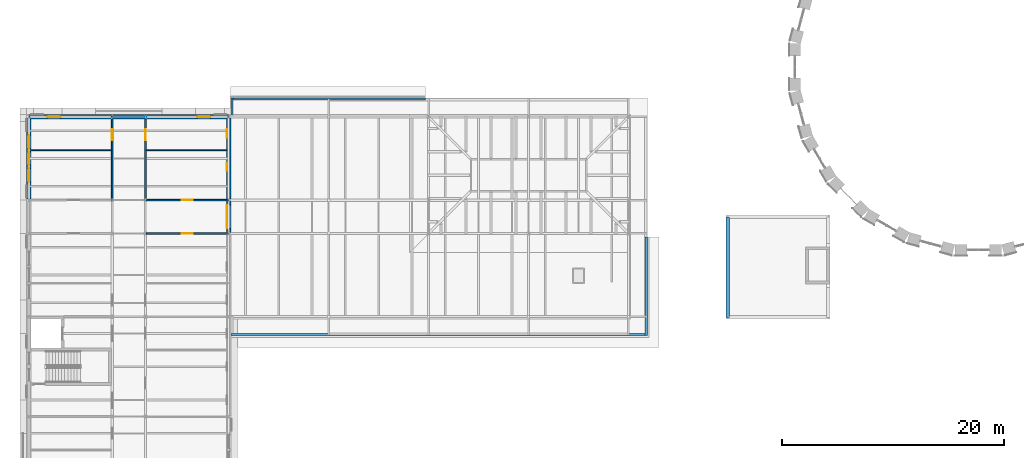
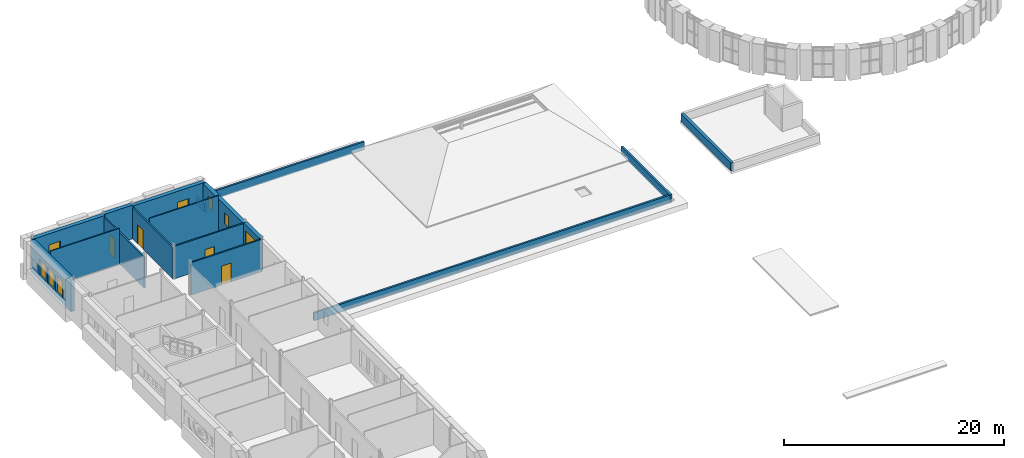
# One storey, part 29 of 42: 17 walls, 8 windows, 4 doors, 12 openings.
"""IFC4 building model written with IfcOpenShell, lengths in metres."""

from ifc_helpers import new_model, si_unit, direction, frame, frame_2d, origin, place, context, subcontext, project, spatial, rectangle, extrude, material, layer, layer_set, type_object, element, fill, save


model = new_model("IFC4")

# Units and contexts
model_context = context("Model", 3, precision=1e-05, world=origin(), true_north=direction((0.0, 1.0)))
body_context = subcontext(model_context, "Body", "Model", "MODEL_VIEW")
ifc_project = project(units=[si_unit("LENGTHUNIT", "METRE"), si_unit("AREAUNIT", "SQUARE_METRE"), si_unit("VOLUMEUNIT", "CUBIC_METRE"), si_unit("PLANEANGLEUNIT", "RADIAN"), si_unit("MASSUNIT", "GRAM", prefix="KILO")], contexts=[model_context])

# Site, building, storey
site_placement = place(None, origin())
site = spatial("IfcSite", under=ifc_project, at=site_placement, CompositionType="ELEMENT")
building_placement = place(site_placement, origin())
building = spatial("IfcBuilding", under=site, at=building_placement, Name="Golden Quay Civic Hall", CompositionType="ELEMENT")
storey_placement = place(building_placement, frame((0.0, 0.0, 22.800048828125)))
storey = spatial("IfcBuildingStorey", under=building, at=storey_placement, Name="L05", CompositionType="ELEMENT", Elevation=22.800048828125)

# Wall, opening, window
ifc_material_1 = material(Name="Brick, dark clay facing", Category="masonry")
ifc_layer_1 = layer(ifc_material_1, 0.39990234375)
ifc_layer_set_1 = layer_set([ifc_layer_1], Name="Brick external wall 400")
wall_type_1 = type_object("IfcWallType", Name="Brick external wall 400", PredefinedType="STANDARD", material=ifc_layer_set_1)
wall_1_placement = place(storey_placement, frame((18.0, 73.405029296875, 0.0), z_axis=(0.0, 0.0, 1.0), x_axis=(0.0, -1.0, 0.0)))
wall_1 = element("IfcWall", 1, at=wall_1_placement, inside=storey, type_object=wall_type_1, Name="Brick external wall 400 L05 3", PredefinedType="STANDARD", context=body_context, shape_type="SweptSolid", body=[
    extrude(rectangle(XDim=2.81005859375, YDim=0.39990234375, at=frame_2d((1.405029296875, 0.0))), origin(), (0.0, 0.0, 1.0), 3.679931640625),
])
opening_1_placement = place(wall_1_placement, frame((0.35498046875, 0.0, 0.89990234375)))
opening_1 = element("IfcOpeningElement", 2, at=opening_1_placement, cuts=wall_1, Name="Opening WN2", PredefinedType="OPENING", context=body_context, shape_type="SweptSolid", body=[
    extrude(rectangle(XDim=2.10009765625, YDim=2.10009765625, at=frame_2d((1.050048828125, 1.050048828125))), frame((0.0, 0.2099609375, 0.0), z_axis=(0.0, -1.0, 0.0), x_axis=(1.0, 0.0, 0.0)), (0.0, 0.0, 1.0), 0.419921875),
])
ifc_material_2 = material(Name="Aluminium frame, double glazed", Category="aluminium")
window_type_1 = type_object("IfcWindowType", Name="Corridor end window 2100 x 2100", PartitioningType="SINGLE_PANEL", PredefinedType="WINDOW", material=ifc_material_2)
window_1_placement = place(opening_1_placement, origin())
window_1 = element("IfcWindow", 3, at=window_1_placement, inside=storey, type_object=window_type_1, Name="Corridor end window 2100 x 2100 L05 1", OverallHeight=2.10009765625, OverallWidth=2.10009765625, PartitioningType="SINGLE_PANEL", PredefinedType="WINDOW", context=body_context, shape_type="SweptSolid", body=[
    extrude(rectangle(XDim=2.10009765625, YDim=2.10009765625, at=frame_2d((1.050048828125, 1.050048828125))), frame((0.0, -0.119873046875, 0.0), z_axis=(0.0, -1.0, 0.0), x_axis=(1.0, 0.0, 0.0)), (0.0, 0.0, 1.0), 0.06005859375),
])
fill(opening_1, window_1)

# Wall, openings, windows
wall_2_placement = place(storey_placement, frame((18.0, 80.905029296875, 0.0), z_axis=(0.0, 0.0, 1.0), x_axis=(0.0, -1.0, 0.0)))
wall_2 = element("IfcWall", 4, at=wall_2_placement, inside=storey, type_object=wall_type_1, Name="Brick external wall 400 L05 4", PredefinedType="STANDARD", context=body_context, shape_type="SweptSolid", body=[
    extrude(rectangle(XDim=7.31005859375, YDim=0.39990234375, at=frame_2d((3.655029296875, 0.0))), origin(), (0.0, 0.0, 1.0), 3.550048828125),
])
opening_2_placement = place(wall_2_placement, frame((4.030029296875, 0.0, 1.5)))
opening_2 = element("IfcOpeningElement", 5, at=opening_2_placement, cuts=wall_2, Name="Opening WN11", PredefinedType="OPENING", context=body_context, shape_type="SweptSolid", body=[
    extrude(rectangle(XDim=0.75, YDim=1.199951171875, at=frame_2d((0.375, 0.60009765625))), frame((0.0, 0.2099609375, 0.0), z_axis=(0.0, -1.0, 0.0), x_axis=(1.0, 0.0, 0.0)), (0.0, 0.0, 1.0), 0.419921875),
])
opening_3_placement = place(wall_2_placement, frame((1.030029296875, 0.0, 1.5)))
opening_3 = element("IfcOpeningElement", 6, at=opening_3_placement, cuts=wall_2, Name="Opening WN11", PredefinedType="OPENING", context=body_context, shape_type="SweptSolid", body=[
    extrude(rectangle(XDim=0.75, YDim=1.199951171875, at=frame_2d((0.375, 0.60009765625))), frame((0.0, 0.2099609375, 0.0), z_axis=(0.0, -1.0, 0.0), x_axis=(1.0, 0.0, 0.0)), (0.0, 0.0, 1.0), 0.419921875),
])
ifc_material_3 = material(Name="Aluminium frame, double glazed", Category="aluminium")
window_type_2 = type_object("IfcWindowType", Name="Attic pair window 750 x 1200", PartitioningType="SINGLE_PANEL", PredefinedType="WINDOW", material=ifc_material_3)
window_2_placement = place(opening_2_placement, origin())
window_2 = element("IfcWindow", 7, at=window_2_placement, inside=storey, type_object=window_type_2, Name="Attic pair window 750 x 1200 L05 6", OverallHeight=1.199951171875, OverallWidth=0.75, PartitioningType="SINGLE_PANEL", PredefinedType="WINDOW", context=body_context, shape_type="SweptSolid", body=[
    extrude(rectangle(XDim=0.75, YDim=1.199951171875, at=frame_2d((0.375, 0.60009765625))), frame((0.0, -0.119873046875, 0.0), z_axis=(0.0, -1.0, 0.0), x_axis=(1.0, 0.0, 0.0)), (0.0, 0.0, 1.0), 0.06005859375),
])
fill(opening_2, window_2)
window_3_placement = place(opening_3_placement, origin())
window_3 = element("IfcWindow", 8, at=window_3_placement, inside=storey, type_object=window_type_2, Name="Attic pair window 750 x 1200 L05 7", OverallHeight=1.199951171875, OverallWidth=0.75, PartitioningType="SINGLE_PANEL", PredefinedType="WINDOW", context=body_context, shape_type="SweptSolid", body=[
    extrude(rectangle(XDim=0.75, YDim=1.199951171875, at=frame_2d((0.375, 0.60009765625))), frame((0.0, -0.119873046875, 0.0), z_axis=(0.0, -1.0, 0.0), x_axis=(1.0, 0.0, 0.0)), (0.0, 0.0, 1.0), 0.06005859375),
])
fill(opening_3, window_3)

# Walls
ifc_material_4 = material(Name="Brick, dark clay facing", Category="masonry")
ifc_layer_2 = layer(ifc_material_4, 0.199951171875)
ifc_layer_set_2 = layer_set([ifc_layer_2], Name="Parapet 200 x 900")
wall_type_2 = type_object("IfcWallType", Name="Parapet 200 x 900", PredefinedType="PARAPET", material=ifc_layer_set_2)
wall_3_placement = place(storey_placement, frame((18.300048828125, 81.199951171875, 0.0), z_axis=(0.0, 0.0, 1.0), x_axis=(0.0, 1.0, 0.0)))
element("IfcWall", 9, at=wall_3_placement, inside=storey, type_object=wall_type_2, Name="Parapet 200 x 900 L05 1", PredefinedType="PARAPET", context=body_context, shape_type="SweptSolid", body=[
    extrude(rectangle(XDim=1.5, YDim=0.199951171875, at=frame_2d((0.75, 0.0))), origin(), (0.0, 0.0, 1.0), 0.89990234375),
])
wall_4_placement = place(storey_placement, frame((18.39990234375, 82.60009765625, 0.0), z_axis=(0.0, 0.0, 1.0), x_axis=(1.0, 0.0, 0.0)))
element("IfcWall", 10, at=wall_4_placement, inside=storey, type_object=wall_type_2, Name="Parapet 200 x 900 L05 2", PredefinedType="PARAPET", context=body_context, shape_type="SweptSolid", body=[
    extrude(rectangle(XDim=17.300048828125, YDim=0.199951171875, at=frame_2d((8.64990234375, 0.0))), origin(), (0.0, 0.0, 1.0), 0.89990234375),
])
wall_5_placement = place(storey_placement, frame((55.60009765625, 70.199951171875, 0.0), z_axis=(0.0, 0.0, 1.0), x_axis=(0.0, -1.0, 0.0)))
element("IfcWall", 11, at=wall_5_placement, inside=storey, type_object=wall_type_2, Name="Parapet 200 x 900 L05 3", PredefinedType="PARAPET", context=body_context, shape_type="SweptSolid", body=[
    extrude(rectangle(XDim=8.89990234375, YDim=0.199951171875, at=frame_2d((4.449951171875, 0.0))), origin(), (0.0, 0.0, 1.0), 0.89990234375),
])
wall_6_placement = place(storey_placement, frame((55.5, 61.39990234375, 0.0), z_axis=(0.0, 0.0, 1.0), x_axis=(-1.0, 0.0, 0.0)))
element("IfcWall", 12, at=wall_6_placement, inside=storey, type_object=wall_type_2, Name="Parapet 200 x 900 L05 4", PredefinedType="PARAPET", context=body_context, shape_type="SweptSolid", body=[
    extrude(rectangle(XDim=37.300048828125, YDim=0.199951171875, at=frame_2d((18.64990234375, 0.0))), origin(), (0.0, 0.0, 1.0), 0.89990234375),
])
ifc_material_5 = material(Name="Plasterboard on steel studs", Category="steel")
ifc_layer_3 = layer(ifc_material_5, 0.10009765625)
ifc_layer_set_3 = layer_set([ifc_layer_3], Name="Partition 100 stud")
wall_type_3 = type_object("IfcWallType", Name="Partition 100 stud", PredefinedType="PARTITIONING", material=ifc_layer_set_3)
for number, where, z_axis, x_axis, name in (
    (13, (0.199951171875, 78.0, 0.0), (0.0, 0.0, 1.0), (1.0, 0.0, 0.0), "Partition L05-040"),
    (14, (10.574951171875, 78.0, 0.0), (0.0, 0.0, 1.0), (1.0, 0.0, 0.0), "Partition L05-041"),
):
    element("IfcWall", number, at=place(storey_placement, frame(where, z_axis=z_axis, x_axis=x_axis)), inside=storey, type_object=wall_type_3, Name=name, PredefinedType="PARTITIONING", context=body_context, shape_type="SweptSolid", body=[
        extrude(rectangle(XDim=7.22509765625, YDim=0.10009765625, at=frame_2d((3.612548828125, 0.0))), origin(), (0.0, 0.0, 1.0), 3.949951171875),
    ])

# Wall, opening, door
ifc_material_6 = material(Name="Plasterboard on steel studs", Category="steel")
ifc_layer_4 = layer(ifc_material_6, 0.14990234375)
ifc_layer_set_4 = layer_set([ifc_layer_4], Name="Partition 150 stud fire EI 60")
wall_type_4 = type_object("IfcWallType", Name="Partition 150 stud fire EI 60", PredefinedType="PARTITIONING", material=ifc_layer_set_4)
wall_7_placement = place(storey_placement, frame((7.5, 73.5, 0.0), z_axis=(0.0, 0.0, 1.0), x_axis=(0.0, 1.0, 0.0)))
wall_7 = element("IfcWall", 15, at=wall_7_placement, inside=storey, type_object=wall_type_4, Name="Partition L05-027", PredefinedType="PARTITIONING", context=body_context, shape_type="SweptSolid", body=[
    extrude(rectangle(XDim=7.300048828125, YDim=0.14990234375, at=frame_2d((3.64990234375, 0.0))), origin(), (0.0, 0.0, 1.0), 3.429931640625),
])
opening_4_placement = place(wall_7_placement, frame((5.39990234375, 0.0, 0.0)))
opening_4 = element("IfcOpeningElement", 16, at=opening_4_placement, cuts=wall_7, Name="Opening L05-D041", PredefinedType="OPENING", context=body_context, shape_type="SweptSolid", body=[
    extrude(rectangle(XDim=1.0, YDim=2.10009765625, at=frame_2d((0.5, 1.050048828125))), frame((0.0, 0.0849609375, 0.0), z_axis=(0.0, -1.0, 0.0), x_axis=(1.0, 0.0, 0.0)), (0.0, 0.0, 1.0), 0.169921875),
])
ifc_material_7 = material(Name="Steel", Category="steel")
door_type = type_object("IfcDoorType", Name="Steel fire door FD30S 1000 x 2100", OperationType="SINGLE_SWING_LEFT", PredefinedType="DOOR", material=ifc_material_7)
door_1_placement = place(opening_4_placement, origin())
door_1 = element("IfcDoor", 17, at=door_1_placement, inside=storey, type_object=door_type, Name="Door L05-D041", OperationType="SINGLE_SWING_LEFT", OverallHeight=2.10009765625, OverallWidth=1.0, PredefinedType="DOOR", context=body_context, shape_type="SweptSolid", body=[
    extrude(rectangle(XDim=1.0, YDim=2.10009765625, at=frame_2d((0.5, 1.050048828125))), frame((0.0, 0.02490234375, 0.0), z_axis=(0.0, -1.0, 0.0), x_axis=(1.0, 0.0, 0.0)), (0.0, 0.0, 1.0), 0.050048828125),
])
fill(opening_4, door_1)

wall_8_placement = place(storey_placement, frame((10.5, 73.5, 0.0), z_axis=(0.0, 0.0, 1.0), x_axis=(0.0, 1.0, 0.0)))
wall_8 = element("IfcWall", 18, at=wall_8_placement, inside=storey, type_object=wall_type_4, Name="Partition L05-029", PredefinedType="PARTITIONING", context=body_context, shape_type="SweptSolid", body=[
    extrude(rectangle(XDim=7.300048828125, YDim=0.14990234375, at=frame_2d((3.64990234375, 0.0))), origin(), (0.0, 0.0, 1.0), 3.429931640625),
])
opening_5_placement = place(wall_8_placement, frame((5.39990234375, 0.0, 0.0)))
opening_5 = element("IfcOpeningElement", 19, at=opening_5_placement, cuts=wall_8, Name="Opening L05-D043", PredefinedType="OPENING", context=body_context, shape_type="SweptSolid", body=[
    extrude(rectangle(XDim=1.0, YDim=2.10009765625, at=frame_2d((0.5, 1.050048828125))), frame((0.0, 0.0849609375, 0.0), z_axis=(0.0, -1.0, 0.0), x_axis=(1.0, 0.0, 0.0)), (0.0, 0.0, 1.0), 0.169921875),
])
door_2_placement = place(opening_5_placement, frame((1.0, 0.0, 0.0), z_axis=(0.0, 0.0, 1.0), x_axis=(-1.0, 0.0, 0.0)))
door_2 = element("IfcDoor", 20, at=door_2_placement, inside=storey, type_object=door_type, Name="Door L05-D043", OperationType="SINGLE_SWING_RIGHT", OverallHeight=2.10009765625, OverallWidth=1.0, PredefinedType="DOOR", context=body_context, shape_type="SweptSolid", body=[
    extrude(rectangle(XDim=1.0, YDim=2.10009765625, at=frame_2d((0.5, 1.050048828125))), frame((0.0, 0.025146484375, 0.0), z_axis=(0.0, -1.0, 0.0), x_axis=(1.0, 0.0, 0.0)), (0.0, 0.0, 1.0), 0.050048828125),
])
fill(opening_5, door_2)

wall_9_placement = place(storey_placement, frame((10.574951171875, 70.5, 0.0), z_axis=(0.0, 0.0, 1.0), x_axis=(1.0, 0.0, 0.0)))
wall_9 = element("IfcWall", 21, at=wall_9_placement, inside=storey, type_object=wall_type_4, Name="Partition L05-033", PredefinedType="PARTITIONING", context=body_context, shape_type="SweptSolid", body=[
    extrude(rectangle(XDim=7.425048828125, YDim=0.14990234375, at=frame_2d((3.71240234375, 0.0))), origin(), (0.0, 0.0, 1.0), 3.599853515625),
])
opening_6_placement = place(wall_9_placement, frame((3.175048828125, 0.0, 0.0)))
opening_6 = element("IfcOpeningElement", 22, at=opening_6_placement, cuts=wall_9, Name="Opening L05-D039", PredefinedType="OPENING", context=body_context, shape_type="SweptSolid", body=[
    extrude(rectangle(XDim=1.0, YDim=2.10009765625, at=frame_2d((0.5, 1.050048828125))), frame((0.0, 0.0849609375, 0.0), z_axis=(0.0, -1.0, 0.0), x_axis=(1.0, 0.0, 0.0)), (0.0, 0.0, 1.0), 0.169921875),
])
door_3_placement = place(opening_6_placement, frame((1.0, 0.0, 0.0), z_axis=(0.0, 0.0, 1.0), x_axis=(-1.0, 0.0, 0.0)))
door_3 = element("IfcDoor", 23, at=door_3_placement, inside=storey, type_object=door_type, Name="Door L05-D039", OperationType="SINGLE_SWING_RIGHT", OverallHeight=2.10009765625, OverallWidth=1.0, PredefinedType="DOOR", context=body_context, shape_type="SweptSolid", body=[
    extrude(rectangle(XDim=1.0, YDim=2.10009765625, at=frame_2d((0.5, 1.050048828125))), frame((0.0, 0.025146484375, 0.0), z_axis=(0.0, -1.0, 0.0), x_axis=(1.0, 0.0, 0.0)), (0.0, 0.0, 1.0), 0.050048828125),
])
fill(opening_6, door_3)

wall_10_placement = place(storey_placement, frame((10.574951171875, 73.5, 0.0), z_axis=(0.0, 0.0, 1.0), x_axis=(1.0, 0.0, 0.0)))
wall_10 = element("IfcWall", 24, at=wall_10_placement, inside=storey, type_object=wall_type_4, Name="Partition L05-034", PredefinedType="PARTITIONING", context=body_context, shape_type="SweptSolid", body=[
    extrude(rectangle(XDim=7.425048828125, YDim=0.14990234375, at=frame_2d((3.71240234375, 0.0))), origin(), (0.0, 0.0, 1.0), 3.599853515625),
])
opening_7_placement = place(wall_10_placement, frame((3.175048828125, 0.0, 0.0)))
opening_7 = element("IfcOpeningElement", 25, at=opening_7_placement, cuts=wall_10, Name="Opening L05-D042", PredefinedType="OPENING", context=body_context, shape_type="SweptSolid", body=[
    extrude(rectangle(XDim=1.0, YDim=2.10009765625, at=frame_2d((0.5, 1.050048828125))), frame((0.0, 0.0849609375, 0.0), z_axis=(0.0, -1.0, 0.0), x_axis=(1.0, 0.0, 0.0)), (0.0, 0.0, 1.0), 0.169921875),
])
door_4_placement = place(opening_7_placement, origin())
door_4 = element("IfcDoor", 26, at=door_4_placement, inside=storey, type_object=door_type, Name="Door L05-D042", OperationType="SINGLE_SWING_LEFT", OverallHeight=2.10009765625, OverallWidth=1.0, PredefinedType="DOOR", context=body_context, shape_type="SweptSolid", body=[
    extrude(rectangle(XDim=1.0, YDim=2.10009765625, at=frame_2d((0.5, 1.050048828125))), frame((0.0, 0.02490234375, 0.0), z_axis=(0.0, -1.0, 0.0), x_axis=(1.0, 0.0, 0.0)), (0.0, 0.0, 1.0), 0.050048828125),
])
fill(opening_7, door_4)

# Wall, openings, windows
ifc_material_8 = material(Name="Clay block, rendered, cream")
ifc_layer_5 = layer(ifc_material_8, 0.39990234375)
ifc_layer_set_5 = layer_set([ifc_layer_5], Name="Rendered block external wall 400")
wall_type_5 = type_object("IfcWallType", Name="Rendered block external wall 400", PredefinedType="STANDARD", material=ifc_layer_set_5)
wall_11_placement = place(storey_placement, frame((0.0, 73.594970703125, 0.0), z_axis=(0.0, 0.0, 1.0), x_axis=(0.0, 1.0, 0.0)))
wall_11 = element("IfcWall", 27, at=wall_11_placement, inside=storey, type_object=wall_type_5, Name="Rendered block external wall 400 L05 8", PredefinedType="STANDARD", context=body_context, shape_type="SweptSolid", body=[
    extrude(rectangle(XDim=7.31005859375, YDim=0.39990234375, at=frame_2d((3.655029296875, 0.0))), origin(), (0.0, 0.0, 1.0), 3.550048828125),
])
opening_8_placement = place(wall_11_placement, frame((1.554931640625, 0.0, 0.60009765625)))
opening_8 = element("IfcOpeningElement", 28, at=opening_8_placement, cuts=wall_11, Name="Opening WN10", PredefinedType="OPENING", context=body_context, shape_type="SweptSolid", body=[
    extrude(rectangle(XDim=1.199951171875, YDim=1.800048828125, at=frame_2d((0.60009765625, 0.89990234375))), frame((0.0, 0.2099609375, 0.0), z_axis=(0.0, -1.0, 0.0), x_axis=(1.0, 0.0, 0.0)), (0.0, 0.0, 1.0), 0.419921875),
])
opening_9_placement = place(wall_11_placement, frame((3.054931640625, 0.0, 0.60009765625)))
opening_9 = element("IfcOpeningElement", 29, at=opening_9_placement, cuts=wall_11, Name="Opening WN10", PredefinedType="OPENING", context=body_context, shape_type="SweptSolid", body=[
    extrude(rectangle(XDim=1.199951171875, YDim=1.800048828125, at=frame_2d((0.60009765625, 0.89990234375))), frame((0.0, 0.2099609375, 0.0), z_axis=(0.0, -1.0, 0.0), x_axis=(1.0, 0.0, 0.0)), (0.0, 0.0, 1.0), 0.419921875),
])
opening_10_placement = place(wall_11_placement, frame((4.554931640625, 0.0, 0.60009765625)))
opening_10 = element("IfcOpeningElement", 30, at=opening_10_placement, cuts=wall_11, Name="Opening WN10", PredefinedType="OPENING", context=body_context, shape_type="SweptSolid", body=[
    extrude(rectangle(XDim=1.199951171875, YDim=1.800048828125, at=frame_2d((0.60009765625, 0.89990234375))), frame((0.0, 0.2099609375, 0.0), z_axis=(0.0, -1.0, 0.0), x_axis=(1.0, 0.0, 0.0)), (0.0, 0.0, 1.0), 0.419921875),
])
ifc_material_9 = material(Name="Aluminium frame, double glazed", Category="aluminium")
window_type_3 = type_object("IfcWindowType", Name="Golden grid window 1200 x 1800", PartitioningType="SINGLE_PANEL", PredefinedType="WINDOW", material=ifc_material_9)
window_4_placement = place(opening_8_placement, origin())
window_4 = element("IfcWindow", 31, at=window_4_placement, inside=storey, type_object=window_type_3, Name="Golden grid window 1200 x 1800 L05 12", OverallHeight=1.800048828125, OverallWidth=1.199951171875, PartitioningType="SINGLE_PANEL", PredefinedType="WINDOW", context=body_context, shape_type="SweptSolid", body=[
    extrude(rectangle(XDim=1.199951171875, YDim=1.800048828125, at=frame_2d((0.60009765625, 0.89990234375))), frame((0.0, 0.030029296875, 0.0), z_axis=(0.0, -1.0, 0.0), x_axis=(1.0, 0.0, 0.0)), (0.0, 0.0, 1.0), 0.06005859375),
])
fill(opening_8, window_4)
window_5_placement = place(opening_9_placement, origin())
window_5 = element("IfcWindow", 32, at=window_5_placement, inside=storey, type_object=window_type_3, Name="Golden grid window 1200 x 1800 L05 13", OverallHeight=1.800048828125, OverallWidth=1.199951171875, PartitioningType="SINGLE_PANEL", PredefinedType="WINDOW", context=body_context, shape_type="SweptSolid", body=[
    extrude(rectangle(XDim=1.199951171875, YDim=1.800048828125, at=frame_2d((0.60009765625, 0.89990234375))), frame((0.0, 0.030029296875, 0.0), z_axis=(0.0, -1.0, 0.0), x_axis=(1.0, 0.0, 0.0)), (0.0, 0.0, 1.0), 0.06005859375),
])
fill(opening_9, window_5)
window_6_placement = place(opening_10_placement, origin())
window_6 = element("IfcWindow", 33, at=window_6_placement, inside=storey, type_object=window_type_3, Name="Golden grid window 1200 x 1800 L05 14", OverallHeight=1.800048828125, OverallWidth=1.199951171875, PartitioningType="SINGLE_PANEL", PredefinedType="WINDOW", context=body_context, shape_type="SweptSolid", body=[
    extrude(rectangle(XDim=1.199951171875, YDim=1.800048828125, at=frame_2d((0.60009765625, 0.89990234375))), frame((0.0, 0.030029296875, 0.0), z_axis=(0.0, -1.0, 0.0), x_axis=(1.0, 0.0, 0.0)), (0.0, 0.0, 1.0), 0.06005859375),
])
fill(opening_10, window_6)

# Wall, opening, window
wall_12_placement = place(storey_placement, frame((0.00830078125, 81.0, 0.0), z_axis=(0.0, 0.0, 1.0), x_axis=(1.0, 0.0, 0.0)))
wall_12 = element("IfcWall", 34, at=wall_12_placement, inside=storey, type_object=wall_type_5, Name="Rendered block external wall 400 L05 9", PredefinedType="STANDARD", context=body_context, shape_type="SweptSolid", body=[
    extrude(rectangle(XDim=7.4833984375, YDim=0.39990234375, at=frame_2d((3.74169921875, 0.0))), origin(), (0.0, 0.0, 1.0), 3.619873046875),
])
opening_11_placement = place(wall_12_placement, frame((1.641845703125, 0.0, 0.60009765625)))
opening_11 = element("IfcOpeningElement", 35, at=opening_11_placement, cuts=wall_12, Name="Opening WN10", PredefinedType="OPENING", context=body_context, shape_type="SweptSolid", body=[
    extrude(rectangle(XDim=1.199951171875, YDim=1.800048828125, at=frame_2d((0.60009765625, 0.89990234375))), frame((0.0, 0.2099609375, 0.0), z_axis=(0.0, -1.0, 0.0), x_axis=(1.0, 0.0, 0.0)), (0.0, 0.0, 1.0), 0.419921875),
])
window_7_placement = place(opening_11_placement, origin())
window_7 = element("IfcWindow", 36, at=window_7_placement, inside=storey, type_object=window_type_3, Name="Golden grid window 1200 x 1800 L05 15", OverallHeight=1.800048828125, OverallWidth=1.199951171875, PartitioningType="SINGLE_PANEL", PredefinedType="WINDOW", context=body_context, shape_type="SweptSolid", body=[
    extrude(rectangle(XDim=1.199951171875, YDim=1.800048828125, at=frame_2d((0.60009765625, 0.89990234375))), frame((0.0, 0.030029296875, 0.0), z_axis=(0.0, -1.0, 0.0), x_axis=(1.0, 0.0, 0.0)), (0.0, 0.0, 1.0), 0.06005859375),
])
fill(opening_11, window_7)

# Wall
wall_13_placement = place(storey_placement, frame((7.50830078125, 81.0, 0.0), z_axis=(0.0, 0.0, 1.0), x_axis=(1.0, 0.0, 0.0)))
element("IfcWall", 37, at=wall_13_placement, inside=storey, type_object=wall_type_5, Name="Rendered block external wall 400 L05 10", PredefinedType="STANDARD", context=body_context, shape_type="SweptSolid", body=[
    extrude(rectangle(XDim=2.9833984375, YDim=0.39990234375, at=frame_2d((1.49169921875, 0.0))), origin(), (0.0, 0.0, 1.0), 3.75),
])

# Wall, opening, window
wall_14_placement = place(storey_placement, frame((10.50830078125, 81.0, 0.0), z_axis=(0.0, 0.0, 1.0), x_axis=(1.0, 0.0, 0.0)))
wall_14 = element("IfcWall", 38, at=wall_14_placement, inside=storey, type_object=wall_type_5, Name="Rendered block external wall 400 L05 11", PredefinedType="STANDARD", context=body_context, shape_type="SweptSolid", body=[
    extrude(rectangle(XDim=7.4833984375, YDim=0.39990234375, at=frame_2d((3.74169921875, 0.0))), origin(), (0.0, 0.0, 1.0), 3.619873046875),
])
opening_12_placement = place(wall_14_placement, frame((4.641845703125, 0.0, 0.60009765625)))
opening_12 = element("IfcOpeningElement", 39, at=opening_12_placement, cuts=wall_14, Name="Opening WN10", PredefinedType="OPENING", context=body_context, shape_type="SweptSolid", body=[
    extrude(rectangle(XDim=1.199951171875, YDim=1.800048828125, at=frame_2d((0.60009765625, 0.89990234375))), frame((0.0, 0.2099609375, 0.0), z_axis=(0.0, -1.0, 0.0), x_axis=(1.0, 0.0, 0.0)), (0.0, 0.0, 1.0), 0.419921875),
])
window_8_placement = place(opening_12_placement, origin())
window_8 = element("IfcWindow", 40, at=window_8_placement, inside=storey, type_object=window_type_3, Name="Golden grid window 1200 x 1800 L05 16", OverallHeight=1.800048828125, OverallWidth=1.199951171875, PartitioningType="SINGLE_PANEL", PredefinedType="WINDOW", context=body_context, shape_type="SweptSolid", body=[
    extrude(rectangle(XDim=1.199951171875, YDim=1.800048828125, at=frame_2d((0.60009765625, 0.89990234375))), frame((0.0, 0.030029296875, 0.0), z_axis=(0.0, -1.0, 0.0), x_axis=(1.0, 0.0, 0.0)), (0.0, 0.0, 1.0), 0.06005859375),
])
fill(opening_12, window_8)

# Wall
ifc_material_10 = material(Name="Brick masonry with render", Category="masonry")
ifc_layer_6 = layer(ifc_material_10, 0.300048828125)
ifc_layer_set_6 = layer_set([ifc_layer_6], Name="Rendered brick parapet 300")
wall_type_6 = type_object("IfcWallType", Name="Rendered brick parapet 300", PredefinedType="PARAPET", material=ifc_layer_set_6)
wall_15_placement = place(storey_placement, frame((62.949951171875, 72.0, 0.0), z_axis=(0.0, 0.0, 1.0), x_axis=(0.0, -1.0, 0.0)))
element("IfcWall", 41, at=wall_15_placement, inside=storey, type_object=wall_type_6, Name="Core roof parapet SW 5", PredefinedType="PARAPET", context=body_context, shape_type="SweptSolid", body=[
    extrude(rectangle(XDim=9.050048828125, YDim=0.300048828125, at=frame_2d((4.52490234375, 0.0))), origin(), (0.0, 0.0, 1.0), 0.89990234375),
])

save(model, "model.ifc")
